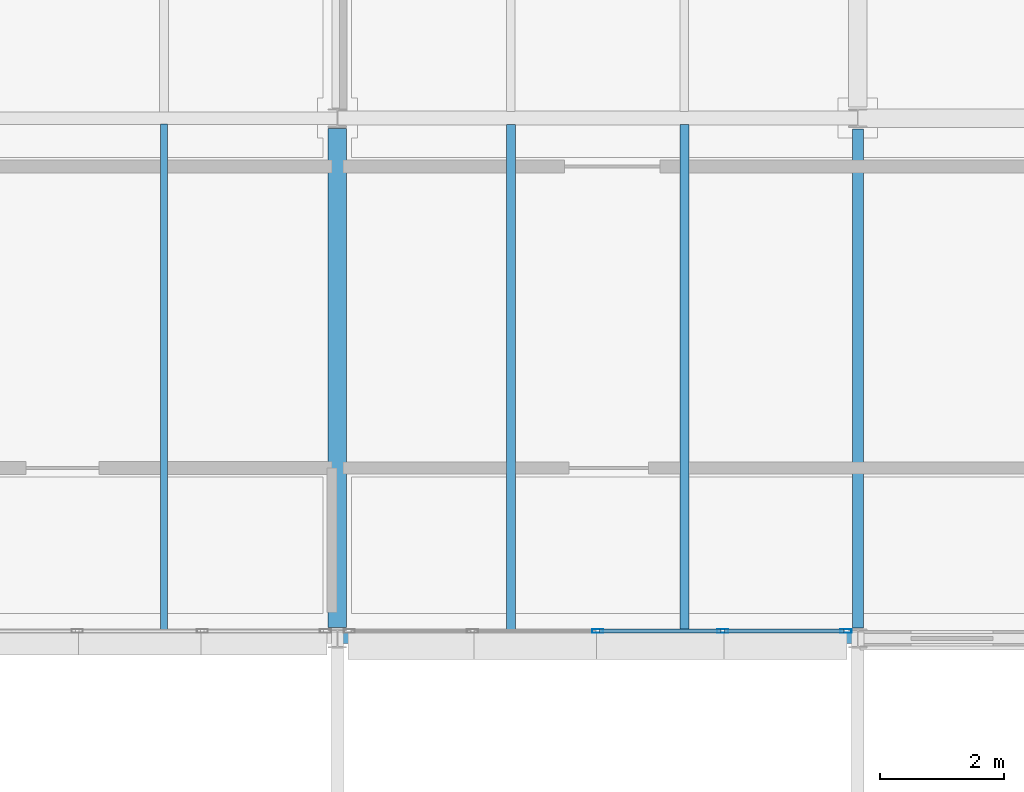
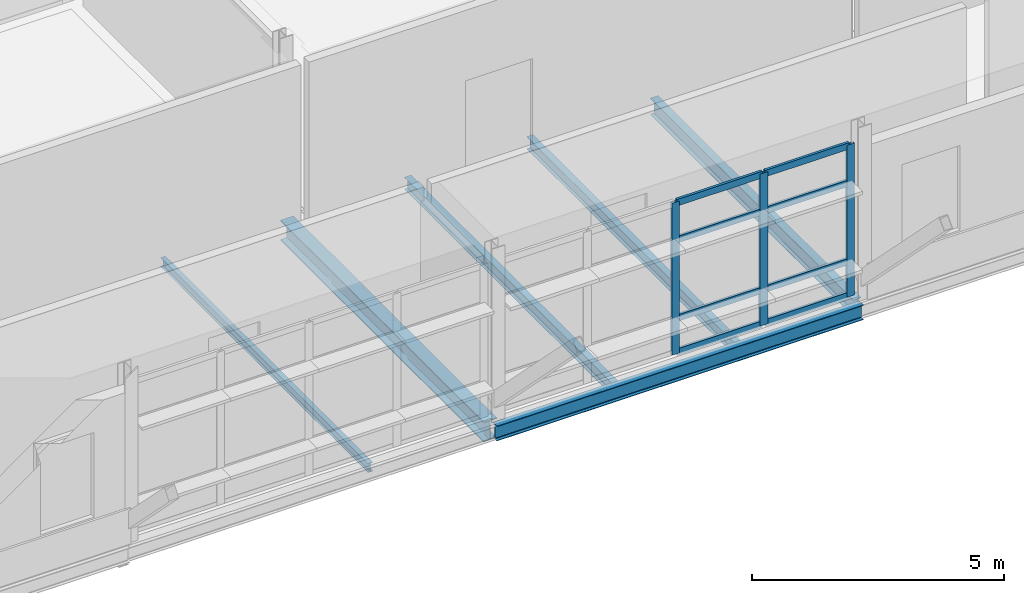
# One storey, part 9 of 35: 11 members, 6 beams, 1 element without a shape of its own.
"""IFC4 building model written with IfcOpenShell, lengths in metres."""

import ifcopenshell
import ifcopenshell.guid

model = None  # the IFC model being written
_history = None  # IfcOwnerHistory: only IFC2X3 demands one
_inside = {}  # id of a spatial element -> (the spatial element, [elements in it])
_under = {}  # id of a project, library or spatial element -> (it, [spatial elements below it])
_declared = {}  # id of a project -> (the project, [libraries it declares])
_typed = {}  # id of a type object -> (the type object, [elements of that type])
_made_of = {}  # id of a material, layer set ... -> (it, [elements and type objects made of it])


def new_model(schema):
    """Start an empty IFC model of exactly this schema.

    Asked for "IFC4X3", IfcOpenShell would pick the latest addendum, in which some entities
    have other attributes; the version numbers below select the first issue.
    IFC2X3 requires an IfcOwnerHistory on every rooted entity: one is made here for all.
    """
    global model, _history
    if schema == "IFC4X3":
        model = ifcopenshell.file(schema_version=(4, 3, 0, 0))
    else:
        model = ifcopenshell.file(schema=schema)
    _inside.clear()
    _under.clear()
    _declared.clear()
    _typed.clear()
    _made_of.clear()
    _history = None
    if model.schema == "IFC2X3":
        org = make("IfcOrganization", Name="unknown")
        user = make(
            "IfcPersonAndOrganization",
            ThePerson=make("IfcPerson", FamilyName="unknown"),
            TheOrganization=org,
        )
        app = make(
            "IfcApplication",
            ApplicationDeveloper=org,
            Version="unknown",
            ApplicationFullName="unknown",
            ApplicationIdentifier="unknown",
        )
        _history = make(
            "IfcOwnerHistory",
            OwningUser=user,
            OwningApplication=app,
            ChangeAction="ADDED",
            CreationDate=0,
        )
    return model


def make(cls, **values):
    """One entity of the class cls with the attributes given. An attribute that is None is left unset."""
    return model.create_entity(
        cls, **{name: value for name, value in values.items() if value is not None}
    )


def rooted(cls, **values):
    """An entity with a GlobalId (a new one), such as an element, a storey or a relation."""
    return make(cls, GlobalId=ifcopenshell.guid.new(), OwnerHistory=_history, **values)


def si_unit(unit_type, name, prefix=None):
    """IfcSIUnit, for example si_unit("LENGTHUNIT", "METRE", prefix="MILLI")."""
    return make("IfcSIUnit", UnitType=unit_type, Prefix=prefix, Name=name)


def assignment(units):
    """IfcUnitAssignment: the units of a project."""
    return None if units is None else make("IfcUnitAssignment", Units=units)


def point(xyz):
    """IfcCartesianPoint."""
    return None if xyz is None else make("IfcCartesianPoint", Coordinates=xyz)


def direction(xyz):
    """IfcDirection."""
    return None if xyz is None else make("IfcDirection", DirectionRatios=xyz)


def frame(location, z_axis=None, x_axis=None):
    """IfcAxis2Placement3D, a coordinate frame: its origin and axes. An axis left out is left unset."""
    return make(
        "IfcAxis2Placement3D",
        Location=point(location),
        Axis=direction(z_axis),
        RefDirection=direction(x_axis),
    )


def frame_2d(location, x_axis=None):
    """IfcAxis2Placement2D, a coordinate frame in the plane: its origin and x axis."""
    return make(
        "IfcAxis2Placement2D", Location=point(location), RefDirection=direction(x_axis)
    )


def origin():
    """The frame at (0, 0, 0) with its axes left unset."""
    return frame((0.0, 0.0, 0.0))


def origin_2d():
    """The frame at (0, 0) in the plane with its x axis left unset."""
    return frame_2d((0.0, 0.0))


def place(relative_to, where):
    """IfcLocalPlacement: puts the frame where relative to a parent placement (None: the world)."""
    return make(
        "IfcLocalPlacement", PlacementRelTo=relative_to, RelativePlacement=where
    )


def context(
    kind, dimensions, precision=None, world=None, true_north=None, identifier=None
):
    """IfcGeometricRepresentationContext, for example the 3D "Model" context."""
    return make(
        "IfcGeometricRepresentationContext",
        ContextIdentifier=identifier,
        ContextType=kind,
        CoordinateSpaceDimension=dimensions,
        Precision=precision,
        WorldCoordinateSystem=world,
        TrueNorth=true_north,
    )


def subcontext(parent, identifier, kind, view, scale=None):
    """IfcGeometricRepresentationSubContext, for example "Body" below "Model"."""
    return make(
        "IfcGeometricRepresentationSubContext",
        ContextIdentifier=identifier,
        ContextType=kind,
        ParentContext=parent,
        TargetScale=scale,
        TargetView=view,
    )


def project(units=None, contexts=None):
    """IfcProject with its units and contexts."""
    return rooted(
        "IfcProject",
        Name="project",
        RepresentationContexts=contexts,
        UnitsInContext=assignment(units),
    )


def spatial(cls, under=None, at=None, **own):
    """A site, building, storey or space (cls), placed at a placement, below another one or the project."""
    s = rooted(cls, ObjectPlacement=at, **own)
    if under is not None:
        _under.setdefault(under.id(), (under, []))[1].append(s)
    return s


def profile(cls, at=None, kind="AREA", **sizes):
    """A parametric profile (cls). Its sizes go by their IFC names, for example OverallWidth=200.0."""
    return make(cls, ProfileType=kind, Position=at, **sizes)


def hollow_rectangle(**sizes):
    """IfcRectangleHollowProfileDef."""
    return profile("IfcRectangleHollowProfileDef", **sizes)


def i_section(**sizes):
    """IfcIShapeProfileDef."""
    return profile("IfcIShapeProfileDef", **sizes)


def extrude(swept, where, along, depth):
    """IfcExtrudedAreaSolid: the profile swept, set in the frame where, extruded along a direction by depth."""
    return make(
        "IfcExtrudedAreaSolid",
        SweptArea=swept,
        Position=where,
        ExtrudedDirection=direction(along),
        Depth=depth,
    )


def shape(context_of_items, identifier, shape_type, items):
    """IfcShapeRepresentation: the items that make up one representation, for example the "Body"."""
    return make(
        "IfcShapeRepresentation",
        ContextOfItems=context_of_items,
        RepresentationIdentifier=identifier,
        RepresentationType=shape_type,
        Items=items,
    )


def material(Name=None, Category=None):
    """IfcMaterial."""
    return make("IfcMaterial", Name=Name, Category=Category)


def material_profile(
    of_material, cross_section, Name=None, Category=None, Priority=None
):
    """IfcMaterialProfile: a cross section and its material."""
    return make(
        "IfcMaterialProfile",
        Name=Name,
        Material=of_material,
        Profile=cross_section,
        Priority=Priority,
        Category=Category,
    )


def profile_set(profiles, Name=None, composite=None):
    """IfcMaterialProfileSet."""
    return make(
        "IfcMaterialProfileSet",
        Name=Name,
        MaterialProfiles=profiles,
        CompositeProfile=composite,
    )


def made_of(thing, what):
    """Note that an element or type object is made of a material, layer set ...; save() writes the relation."""
    if what is not None:
        _made_of.setdefault(what.id(), (what, []))[1].append(thing)
    return thing


def type_object(cls, material=None, **own):
    """A type object (cls), such as IfcWallType, which elements share."""
    return made_of(rooted(cls, **own), material)


def element(
    cls,
    number,
    at=None,
    inside=None,
    cuts=None,
    type_object=None,
    material=None,
    context=None,
    identifier="Body",
    shape_type=None,
    held_by="IfcProductDefinitionShape",
    body=None,
    shapes=None,
    **own,
):
    """One element of the class cls, such as IfcWall. Its Tag is "e" and its number.

    at: its placement. inside: the storey or other place that contains it. cuts: it is an
    opening in that element (IfcRelVoidsElement). A single representation is given by context,
    identifier, shape_type and body (its items); several are given by shapes. held_by: the class
    of the entity that holds the representations. save() writes the other relations.
    """
    e = rooted(cls, Tag="e%d" % number, ObjectPlacement=at, **own)
    if body is not None:
        shapes = [shape(context, identifier, shape_type, body)]
    if shapes is not None:
        e.Representation = make(held_by, Representations=shapes)
    if inside is not None:
        _inside.setdefault(inside.id(), (inside, []))[1].append(e)
    if cuts is not None:
        rooted(
            "IfcRelVoidsElement", RelatingBuildingElement=cuts, RelatedOpeningElement=e
        )
    if type_object is not None:
        _typed.setdefault(type_object.id(), (type_object, []))[1].append(e)
    return made_of(e, material)


def aggregate(whole, parts):
    """IfcRelAggregates: a whole, such as a stair, and the parts it consists of."""
    return rooted("IfcRelAggregates", RelatingObject=whole, RelatedObjects=parts)


def save(model, path):
    """Write the relations noted so far, then the file.

    IfcRelAggregates (storeys below a building ...), IfcRelContainedInSpatialStructure (elements
    in a storey), IfcRelDefinesByType, IfcRelAssociatesMaterial and IfcRelDeclares: one each for
    every whole, place, type object, material and project.
    """
    for whole, parts in _under.values():
        aggregate(whole, parts)
    for where, things in _inside.values():
        rooted(
            "IfcRelContainedInSpatialStructure",
            RelatedElements=things,
            RelatingStructure=where,
        )
    for kind, things in _typed.values():
        rooted("IfcRelDefinesByType", RelatedObjects=things, RelatingType=kind)
    for what, things in _made_of.values():
        rooted("IfcRelAssociatesMaterial", RelatedObjects=things, RelatingMaterial=what)
    for by, libraries in _declared.values():
        rooted("IfcRelDeclares", RelatingContext=by, RelatedDefinitions=libraries)
    model.write(path)


model = new_model("IFC4")

# Units and contexts
model_context = context("Model", 3, precision=1e-05, world=origin(), true_north=direction((0.0, 1.0)))
body_context = subcontext(model_context, "Body", "Model", "MODEL_VIEW")
ifc_project = project(units=[si_unit("LENGTHUNIT", "METRE"), si_unit("AREAUNIT", "SQUARE_METRE"), si_unit("VOLUMEUNIT", "CUBIC_METRE"), si_unit("PLANEANGLEUNIT", "RADIAN"), si_unit("MASSUNIT", "GRAM", prefix="KILO")], contexts=[model_context])

# Site, building, storey
site_placement = place(None, origin())
site = spatial("IfcSite", under=ifc_project, at=site_placement, CompositionType="ELEMENT")
building_placement = place(site_placement, origin())
building = spatial("IfcBuilding", under=site, at=building_placement, Name="Mersafa Astral City Hall", CompositionType="ELEMENT")
storey_placement = place(building_placement, frame((0.0, 0.0, 30.14990234375)))
storey = spatial("IfcBuildingStorey", under=building, at=storey_placement, Name="L07", CompositionType="ELEMENT", Elevation=30.14990234375)

# Curtain wall, members
ifc_material_1 = material(Name="Anodised bronze aluminium framing", Category="aluminium")
curtain_wall_type = type_object("IfcCurtainWallType", Name="ENV-CW-1", PredefinedType="USERDEFINED", material=ifc_material_1)
curtain_wall_placement = place(storey_placement, origin())
curtain_wall = element("IfcCurtainWall", 1, at=curtain_wall_placement, inside=storey, type_object=curtain_wall_type, Name="L07 Unitised solar curtain wall 276", ObjectType="UNITISED CURTAIN WALL", PredefinedType="USERDEFINED")
ifc_material_profile_1 = material_profile(ifc_material_1, hollow_rectangle(XDim=0.06005859375, YDim=0.179931640625, WallThickness=0.00390625, at=origin_2d()), Name="RHS 60x180x4")
ifc_profile_set_1 = profile_set([ifc_material_profile_1], Name="Anodised bronze aluminium framing")
member_type_1 = type_object("IfcMemberType", Name="ENV-CW-MUL-1", PredefinedType="MULLION", material=ifc_profile_set_1)
member_1_placement = place(storey_placement, frame((130.199951171875, 109.320068359375, -0.001953125), z_axis=(0.0, 0.0, 1.0), x_axis=(0.0, 1.0, 0.0)))
member_1 = element("IfcMember", 2, at=member_1_placement, type_object=member_type_1, Name="CW-1 mullion 3", PredefinedType="MULLION", context=body_context, shape_type="SweptSolid", body=[
    extrude(hollow_rectangle(XDim=0.06005859375, YDim=0.179931640625, WallThickness=0.00390625, at=origin_2d()), origin(), (0.0, 0.0, 1.0), 3.678955078125),
])
member_2_placement = place(storey_placement, frame((132.218994140625, 109.320068359375, -0.001953125), z_axis=(0.0, 0.0, 1.0), x_axis=(0.0, 1.0, 0.0)))
member_2 = element("IfcMember", 3, at=member_2_placement, type_object=member_type_1, Name="CW-1 mullion 4", PredefinedType="MULLION", context=body_context, shape_type="SweptSolid", body=[
    extrude(hollow_rectangle(XDim=0.06005859375, YDim=0.179931640625, WallThickness=0.00390625, at=origin_2d()), origin(), (0.0, 0.0, 1.0), 3.678955078125),
])
member_3_placement = place(storey_placement, frame((134.2080078125, 109.320068359375, -0.001953125), z_axis=(0.0, 0.0, 1.0), x_axis=(0.0, 1.0, 0.0)))
member_3 = element("IfcMember", 4, at=member_3_placement, type_object=member_type_1, Name="CW-1 mullion 5", PredefinedType="MULLION", context=body_context, shape_type="SweptSolid", body=[
    extrude(hollow_rectangle(XDim=0.06005859375, YDim=0.179931640625, WallThickness=0.00390625, at=origin_2d()), origin(), (0.0, 0.0, 1.0), 3.678955078125),
])
ifc_material_profile_2 = material_profile(ifc_material_1, hollow_rectangle(XDim=0.06005859375, YDim=0.159912109375, WallThickness=0.00390625, at=origin_2d()), Name="RHS 60x160x4")
ifc_profile_set_2 = profile_set([ifc_material_profile_2], Name="Anodised bronze aluminium framing")
member_type_2 = type_object("IfcMemberType", Name="ENV-CW-TRN-2", PredefinedType="USERDEFINED", material=ifc_profile_set_2)
member_4_placement = place(storey_placement, frame((130.22998046875, 109.320068359375, 0.028076171875), z_axis=(1.0, 0.0, 0.0), x_axis=(0.0, 1.0, 0.0)))
member_4 = element("IfcMember", 5, at=member_4_placement, type_object=member_type_2, Name="CW-1 transom 3.1", ObjectType="TRANSOM", PredefinedType="USERDEFINED", context=body_context, shape_type="SweptSolid", body=[
    extrude(hollow_rectangle(XDim=0.06005859375, YDim=0.159912109375, WallThickness=0.00390625, at=origin_2d()), origin(), (0.0, 0.0, 1.0), 1.958984375),
])
member_5_placement = place(storey_placement, frame((130.22998046875, 109.320068359375, 0.85009765625), z_axis=(1.0, 0.0, 0.0), x_axis=(0.0, 1.0, 0.0)))
member_5 = element("IfcMember", 6, at=member_5_placement, type_object=member_type_2, Name="CW-1 transom 3.2", ObjectType="TRANSOM", PredefinedType="USERDEFINED", context=body_context, shape_type="SweptSolid", body=[
    extrude(hollow_rectangle(XDim=0.06005859375, YDim=0.159912109375, WallThickness=0.00390625, at=origin_2d()), origin(), (0.0, 0.0, 1.0), 1.958984375),
])
member_6_placement = place(storey_placement, frame((130.22998046875, 109.320068359375, 2.75), z_axis=(1.0, 0.0, 0.0), x_axis=(0.0, 1.0, 0.0)))
member_6 = element("IfcMember", 7, at=member_6_placement, type_object=member_type_2, Name="CW-1 transom 3.3", ObjectType="TRANSOM", PredefinedType="USERDEFINED", context=body_context, shape_type="SweptSolid", body=[
    extrude(hollow_rectangle(XDim=0.06005859375, YDim=0.159912109375, WallThickness=0.00390625, at=origin_2d()), origin(), (0.0, 0.0, 1.0), 1.958984375),
])
member_7_placement = place(storey_placement, frame((130.22998046875, 109.320068359375, 3.647216796875), z_axis=(1.0, 0.0, 0.0), x_axis=(0.0, 1.0, 0.0)))
member_7 = element("IfcMember", 8, at=member_7_placement, type_object=member_type_2, Name="CW-1 transom 3.4", ObjectType="TRANSOM", PredefinedType="USERDEFINED", context=body_context, shape_type="SweptSolid", body=[
    extrude(hollow_rectangle(XDim=0.06005859375, YDim=0.159912109375, WallThickness=0.00390625, at=origin_2d()), origin(), (0.0, 0.0, 1.0), 1.958984375),
])
member_8_placement = place(storey_placement, frame((132.2490234375, 109.320068359375, 0.028076171875), z_axis=(1.0, 0.0, 0.0), x_axis=(0.0, 1.0, 0.0)))
member_8 = element("IfcMember", 9, at=member_8_placement, type_object=member_type_2, Name="CW-1 transom 4.1", ObjectType="TRANSOM", PredefinedType="USERDEFINED", context=body_context, shape_type="SweptSolid", body=[
    extrude(hollow_rectangle(XDim=0.06005859375, YDim=0.159912109375, WallThickness=0.00390625, at=origin_2d()), origin(), (0.0, 0.0, 1.0), 1.928955078125),
])
member_9_placement = place(storey_placement, frame((132.2490234375, 109.320068359375, 0.85009765625), z_axis=(1.0, 0.0, 0.0), x_axis=(0.0, 1.0, 0.0)))
member_9 = element("IfcMember", 10, at=member_9_placement, type_object=member_type_2, Name="CW-1 transom 4.2", ObjectType="TRANSOM", PredefinedType="USERDEFINED", context=body_context, shape_type="SweptSolid", body=[
    extrude(hollow_rectangle(XDim=0.06005859375, YDim=0.159912109375, WallThickness=0.00390625, at=origin_2d()), origin(), (0.0, 0.0, 1.0), 1.928955078125),
])
member_10_placement = place(storey_placement, frame((132.2490234375, 109.320068359375, 2.75), z_axis=(1.0, 0.0, 0.0), x_axis=(0.0, 1.0, 0.0)))
member_10 = element("IfcMember", 11, at=member_10_placement, type_object=member_type_2, Name="CW-1 transom 4.3", ObjectType="TRANSOM", PredefinedType="USERDEFINED", context=body_context, shape_type="SweptSolid", body=[
    extrude(hollow_rectangle(XDim=0.06005859375, YDim=0.159912109375, WallThickness=0.00390625, at=origin_2d()), origin(), (0.0, 0.0, 1.0), 1.928955078125),
])
member_11_placement = place(storey_placement, frame((132.2490234375, 109.320068359375, 3.647216796875), z_axis=(1.0, 0.0, 0.0), x_axis=(0.0, 1.0, 0.0)))
member_11 = element("IfcMember", 12, at=member_11_placement, type_object=member_type_2, Name="CW-1 transom 4.4", ObjectType="TRANSOM", PredefinedType="USERDEFINED", context=body_context, shape_type="SweptSolid", body=[
    extrude(hollow_rectangle(XDim=0.06005859375, YDim=0.159912109375, WallThickness=0.00390625, at=origin_2d()), origin(), (0.0, 0.0, 1.0), 1.928955078125),
])
aggregate(curtain_wall, [member_1, member_2, member_3, member_4, member_5, member_6, member_7, member_8, member_9, member_10, member_11])

# Beams
ifc_material_2 = material(Name="Steel S355", Category="steel")
ifc_material_profile_3 = material_profile(ifc_material_2, i_section(OverallWidth=0.300048828125, OverallDepth=0.489990234375, WebThickness=0.011962890625, FlangeThickness=0.02294921875, FilletRadius=0.027099609375, at=origin_2d()), Name="HEA 500")
ifc_profile_set_3 = profile_set([ifc_material_profile_3], Name="Steel S355")
beam_type_1 = type_object("IfcBeamType", Name="STR-BM-HEA500", PredefinedType="BEAM", material=ifc_profile_set_3)
beam_1_placement = place(storey_placement, frame((126.0, 109.375, -0.419921875), z_axis=(0.0, 1.0, 0.0), x_axis=(-1.0, 0.0, 0.0)))
element("IfcBeam", 13, at=beam_1_placement, inside=storey, type_object=beam_type_1, Name="L07 Primary girder Y 15-13", PredefinedType="BEAM", context=body_context, shape_type="SweptSolid", body=[
    extrude(i_section(OverallWidth=0.300048828125, OverallDepth=0.489990234375, WebThickness=0.011962890625, FlangeThickness=0.02294921875, FilletRadius=0.027099609375, at=origin_2d()), origin(), (0.0, 0.0, 1.0), 8.06005859375),
])
ifc_material_profile_4 = material_profile(ifc_material_2, i_section(OverallWidth=0.179931640625, OverallDepth=0.39990234375, WebThickness=0.008544921875, FlangeThickness=0.013427734375, FilletRadius=0.02099609375, at=origin_2d()), Name="IPE 400")
ifc_profile_set_4 = profile_set([ifc_material_profile_4], Name="Steel S355")
beam_type_2 = type_object("IfcBeamType", Name="STR-BM-IPE400", PredefinedType="BEAM", material=ifc_profile_set_4)
beam_2_placement = place(storey_placement, frame((134.39990234375, 109.364990234375, -0.375), z_axis=(0.0, 1.0, 0.0), x_axis=(-1.0, 0.0, 0.0)))
element("IfcBeam", 14, at=beam_2_placement, inside=storey, type_object=beam_type_2, Name="L07 Primary girder Y 16-13", PredefinedType="BEAM", context=body_context, shape_type="SweptSolid", body=[
    extrude(i_section(OverallWidth=0.179931640625, OverallDepth=0.39990234375, WebThickness=0.008544921875, FlangeThickness=0.013427734375, FilletRadius=0.02099609375, at=origin_2d()), origin(), (0.0, 0.0, 1.0), 8.06005859375),
])
ifc_material_profile_5 = material_profile(ifc_material_2, i_section(OverallWidth=0.110107421875, OverallDepth=0.219970703125, WebThickness=0.005859375, FlangeThickness=0.00927734375, FilletRadius=0.011962890625, at=origin_2d()), Name="IPE 220")
ifc_profile_set_5 = profile_set([ifc_material_profile_5], Name="Steel S355")
beam_type_3 = type_object("IfcBeamType", Name="STR-BM-JOIST-IPE220", PredefinedType="JOIST", material=ifc_profile_set_5)
beam_3_placement = place(storey_placement, frame((123.199951171875, 109.27490234375, -0.284912109375), z_axis=(0.0, 1.0, 0.0), x_axis=(-1.0, 0.0, 0.0)))
element("IfcBeam", 15, at=beam_3_placement, inside=storey, type_object=beam_type_3, Name="L07 Composite secondary floor joist 893", PredefinedType="JOIST", context=body_context, shape_type="SweptSolid", body=[
    extrude(i_section(OverallWidth=0.110107421875, OverallDepth=0.219970703125, WebThickness=0.005859375, FlangeThickness=0.00927734375, FilletRadius=0.011962890625, at=origin_2d()), origin(), (0.0, 0.0, 1.0), 8.22998046875),
])
ifc_material_profile_6 = material_profile(ifc_material_2, i_section(OverallWidth=0.14990234375, OverallDepth=0.300048828125, WebThickness=0.007080078125, FlangeThickness=0.0107421875, FilletRadius=0.014892578125, at=origin_2d()), Name="IPE 300")
ifc_profile_set_6 = profile_set([ifc_material_profile_6], Name="Steel S355")
beam_type_4 = type_object("IfcBeamType", Name="STR-BM-JOIST-IPE300", PredefinedType="JOIST", material=ifc_profile_set_6)
for number, where, z_axis, x_axis, name in (
    (16, (128.800048828125, 109.280029296875, -0.324951171875), (0.0, 1.0, 0.0), (-1.0, 0.0, 0.0), "L07 Composite secondary floor joist 896"),
    (17, (131.60009765625, 109.280029296875, -0.324951171875), (0.0, 1.0, 0.0), (-1.0, 0.0, 0.0), "L07 Composite secondary floor joist 897"),
):
    element("IfcBeam", number, at=place(storey_placement, frame(where, z_axis=z_axis, x_axis=x_axis)), inside=storey, type_object=beam_type_4, Name=name, PredefinedType="JOIST", context=body_context, shape_type="SweptSolid", body=[
        extrude(i_section(OverallWidth=0.14990234375, OverallDepth=0.300048828125, WebThickness=0.007080078125, FlangeThickness=0.0107421875, FilletRadius=0.014892578125, at=origin_2d()), origin(), (0.0, 0.0, 1.0), 8.215087890625),
    ])
ifc_material_profile_7 = material_profile(ifc_material_2, i_section(OverallWidth=0.169921875, OverallDepth=0.360107421875, WebThickness=0.008056640625, FlangeThickness=0.0126953125, FilletRadius=0.01806640625, at=origin_2d()), Name="IPE 360")
ifc_profile_set_7 = profile_set([ifc_material_profile_7], Name="Steel S355")
beam_type_5 = type_object("IfcBeamType", Name="STR-BM-SPANDREL-IPE360", PredefinedType="SPANDREL", material=ifc_profile_set_7)
beam_4_placement = place(storey_placement, frame((126.0029296875, 109.199951171875, -0.35498046875), z_axis=(1.0, 0.0, 0.0), x_axis=(0.0, 1.0, 0.0)))
element("IfcBeam", 18, at=beam_4_placement, inside=storey, type_object=beam_type_5, Name="L07 Primary girder X 15-13", PredefinedType="SPANDREL", context=body_context, shape_type="SweptSolid", body=[
    extrude(i_section(OverallWidth=0.169921875, OverallDepth=0.360107421875, WebThickness=0.008056640625, FlangeThickness=0.0126953125, FilletRadius=0.01806640625, at=origin_2d()), origin(), (0.0, 0.0, 1.0), 8.39404296875),
])

save(model, "model.ifc")
